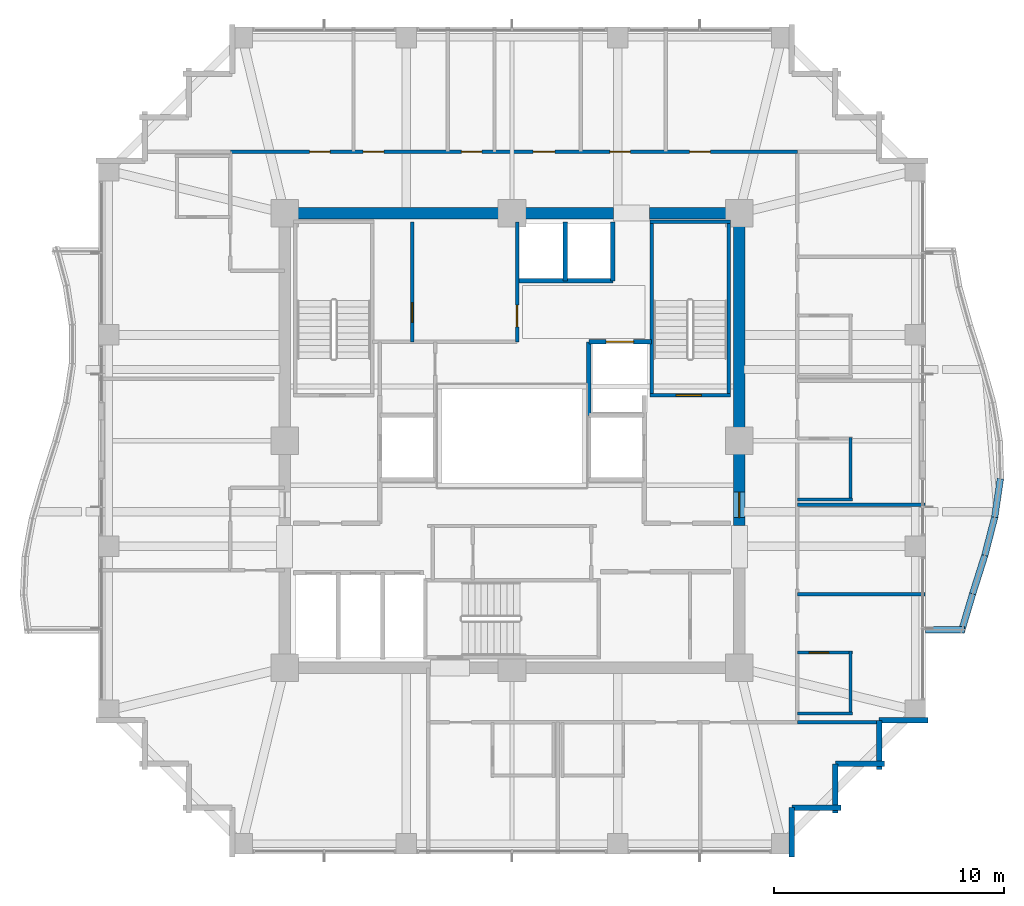
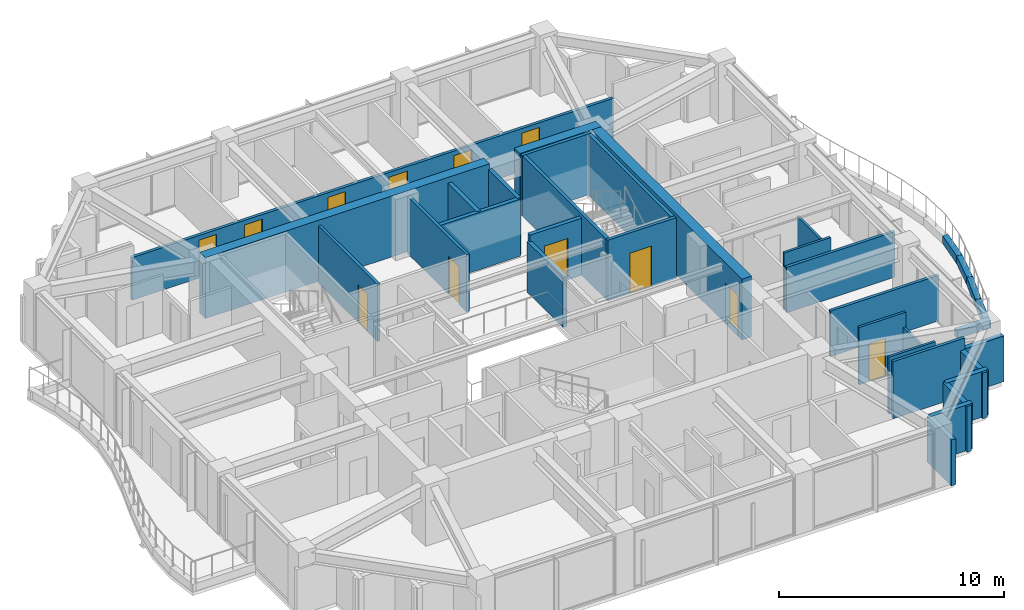
# One storey, part 30 of 33: 34 walls, 12 doors, 12 openings.
"""IFC4 building model written with IfcOpenShell, lengths in metres."""

from ifc_helpers import new_model, si_unit, direction, frame, frame_2d, origin, place, context, subcontext, project, spatial, rectangle, extrude, material, layer, layer_set, type_object, element, fill, save


model = new_model("IFC4")

# Units and contexts
model_context = context("Model", 3, precision=1e-05, world=origin(), true_north=direction((0.0, 1.0)))
body_context = subcontext(model_context, "Body", "Model", "MODEL_VIEW")
ifc_project = project(units=[si_unit("LENGTHUNIT", "METRE"), si_unit("AREAUNIT", "SQUARE_METRE"), si_unit("VOLUMEUNIT", "CUBIC_METRE"), si_unit("PLANEANGLEUNIT", "RADIAN"), si_unit("MASSUNIT", "GRAM", prefix="KILO")], contexts=[model_context])

# Site, building, storey
site_placement = place(None, origin())
site = spatial("IfcSite", under=ifc_project, at=site_placement, CompositionType="ELEMENT")
building_placement = place(site_placement, origin())
building = spatial("IfcBuilding", under=site, at=building_placement, Name="Kolvaren Belvedere", CompositionType="ELEMENT")
storey_placement = place(building_placement, frame((0.0, 0.0, 128.300048828125)))
storey = spatial("IfcBuildingStorey", under=building, at=storey_placement, Name="L37", CompositionType="ELEMENT", Elevation=128.300048828125)

# Walls
ifc_material_1 = material(Name="Concrete C50/60", Category="concrete")
ifc_layer_1 = layer(ifc_material_1, 0.5)
ifc_layer_set_1 = layer_set([ifc_layer_1], Name="Concrete C50/60")
wall_type_1 = type_object("IfcWallType", Name="CW-CORE-500", PredefinedType="SHEAR", material=ifc_layer_set_1)
wall_1_placement = place(storey_placement, frame((-10.14990234375, 9.89990234375, 0.0), z_axis=(0.0, 0.0, 1.0), x_axis=(1.0, 0.0, 0.0)))
element("IfcWall", 1, at=wall_1_placement, inside=storey, type_object=wall_type_1, Name="L37 North Core Shear Wall 1", PredefinedType="SHEAR", context=body_context, shape_type="SweptSolid", body=[
    extrude(rectangle(XDim=14.56982421875, YDim=0.5, at=frame_2d((7.284912109375, 0.0))), origin(), (0.0, 0.0, 1.0), 3.300048828125),
])
wall_2_placement = place(storey_placement, frame((5.97998046875, 9.89990234375, 0.0), z_axis=(0.0, 0.0, 1.0), x_axis=(1.0, 0.0, 0.0)))
element("IfcWall", 2, at=wall_2_placement, inside=storey, type_object=wall_type_1, Name="L37 North Core Shear Wall 2", PredefinedType="SHEAR", context=body_context, shape_type="SweptSolid", body=[
    extrude(rectangle(XDim=4.169921875, YDim=0.5, at=frame_2d((2.0849609375, 0.0))), origin(), (0.0, 0.0, 1.0), 3.300048828125),
])

# Wall, opening, door
wall_3_placement = place(storey_placement, frame((9.89990234375, -3.699951171875, 0.0), z_axis=(0.0, 0.0, 1.0), x_axis=(0.0, 1.0, 0.0)))
wall_3 = element("IfcWall", 3, at=wall_3_placement, inside=storey, type_object=wall_type_1, Name="L37 East Core Shear Wall 2", PredefinedType="SHEAR", context=body_context, shape_type="SweptSolid", body=[
    extrude(rectangle(XDim=13.349853515625, YDim=0.5, at=frame_2d((6.6748046875, 0.0))), origin(), (0.0, 0.0, 1.0), 3.300048828125),
])
opening_1_placement = place(wall_3_placement, frame((0.35009765625, 0.0, 0.0)))
opening_1 = element("IfcOpeningElement", 4, at=opening_1_placement, cuts=wall_3, Name="Opening D-FD90", PredefinedType="OPENING", context=body_context, shape_type="SweptSolid", body=[
    extrude(rectangle(XDim=1.10009765625, YDim=2.199951171875, at=frame_2d((0.550048828125, 1.10009765625))), frame((0.0, 0.260009765625, 0.0), z_axis=(0.0, -1.0, 0.0), x_axis=(1.0, 0.0, 0.0)), (0.0, 0.0, 1.0), 0.52001953125),
])
ifc_material_2 = material(Name="Painted hollow stainless steel", Category="steel")
door_type_1 = type_object("IfcDoorType", Name="DR-FD90-1100", OperationType="NOTDEFINED", PredefinedType="DOOR", material=ifc_material_2)
door_1_placement = place(opening_1_placement, origin())
door_1 = element("IfcDoor", 5, at=door_1_placement, inside=storey, type_object=door_type_1, Name="L37 East Firefighting Lobby Fire Door", OperationType="SINGLE_SWING_RIGHT", OverallHeight=2.199951171875, OverallWidth=1.10009765625, PredefinedType="DOOR", context=body_context, shape_type="SweptSolid", body=[
    extrude(rectangle(XDim=1.10009765625, YDim=2.199951171875, at=frame_2d((0.550048828125, 1.10009765625))), frame((0.0, 0.02490234375, 0.0), z_axis=(0.0, -1.0, 0.0), x_axis=(1.0, 0.0, 0.0)), (0.0, 0.0, 1.0), 0.050048828125),
])
fill(opening_1, door_1)

ifc_material_3 = material(Name="Concrete C50/60", Category="concrete")
ifc_layer_2 = layer(ifc_material_3, 0.159912109375)
ifc_layer_set_2 = layer_set([ifc_layer_2], Name="Concrete C50/60")
wall_type_2 = type_object("IfcWallType", Name="CW-STAIR-160", PredefinedType="SHEAR", material=ifc_layer_set_2)
wall_4_placement = place(storey_placement, frame((6.0, 1.969970703125, 0.0), z_axis=(0.0, 0.0, 1.0), x_axis=(1.0, 0.0, 0.0)))
wall_4 = element("IfcWall", 6, at=wall_4_placement, inside=storey, type_object=wall_type_2, Name="L37 Stair ST-2 South Shear Wall", PredefinedType="SHEAR", context=body_context, shape_type="SweptSolid", body=[
    extrude(rectangle(XDim=3.52001953125, YDim=0.159912109375, at=frame_2d((1.760009765625, 0.0))), origin(), (0.0, 0.0, 1.0), 3.300048828125),
])
opening_2_placement = place(wall_4_placement, frame((1.14990234375, 0.0, 0.0)))
opening_2 = element("IfcOpeningElement", 7, at=opening_2_placement, cuts=wall_4, Name="Opening D-FD90", PredefinedType="OPENING", context=body_context, shape_type="SweptSolid", body=[
    extrude(rectangle(XDim=1.10009765625, YDim=2.199951171875, at=frame_2d((0.550048828125, 1.10009765625))), frame((0.0, 0.08984375, 0.0), z_axis=(0.0, -1.0, 0.0), x_axis=(1.0, 0.0, 0.0)), (0.0, 0.0, 1.0), 0.179931640625),
])
door_2_placement = place(opening_2_placement, origin())
door_2 = element("IfcDoor", 8, at=door_2_placement, inside=storey, type_object=door_type_1, Name="L37 Stair ST-2 Fire Door", OperationType="SINGLE_SWING_RIGHT", OverallHeight=2.199951171875, OverallWidth=1.10009765625, PredefinedType="DOOR", context=body_context, shape_type="SweptSolid", body=[
    extrude(rectangle(XDim=1.10009765625, YDim=2.199951171875, at=frame_2d((0.550048828125, 1.10009765625))), frame((0.0, 0.02490234375, 0.0), z_axis=(0.0, -1.0, 0.0), x_axis=(1.0, 0.0, 0.0)), (0.0, 0.0, 1.0), 0.050048828125),
])
fill(opening_2, door_2)

# Walls
wall_5_placement = place(storey_placement, frame((6.0, 9.530029296875, 0.0), z_axis=(0.0, 0.0, 1.0), x_axis=(1.0, 0.0, 0.0)))
element("IfcWall", 9, at=wall_5_placement, inside=storey, type_object=wall_type_2, Name="L37 Stair ST-2 North Shear Wall", PredefinedType="SHEAR", context=body_context, shape_type="SweptSolid", body=[
    extrude(rectangle(XDim=3.52001953125, YDim=0.159912109375, at=frame_2d((1.760009765625, 0.0))), origin(), (0.0, 0.0, 1.0), 3.300048828125),
])
for number, where, z_axis, x_axis, name in (
    (10, (6.080078125, 1.969970703125, 0.0), (0.0, 0.0, 1.0), (0.0, 1.0, 0.0), "L37 Stair ST-2 West Shear Wall"),
    (11, (9.429931640625, 1.969970703125, 0.0), (0.0, 0.0, 1.0), (0.0, 1.0, 0.0), "L37 Stair ST-2 East Shear Wall"),
):
    element("IfcWall", number, at=place(storey_placement, frame(where, z_axis=z_axis, x_axis=x_axis)), inside=storey, type_object=wall_type_2, Name=name, PredefinedType="SHEAR", context=body_context, shape_type="SweptSolid", body=[
        extrude(rectangle(XDim=7.56005859375, YDim=0.159912109375, at=frame_2d((3.780029296875, 0.0))), origin(), (0.0, 0.0, 1.0), 3.300048828125),
    ])

# Wall, openings, doors
ifc_material_4 = material(Name="Gypsum fire-rated partition assembly", Category="gypsum")
ifc_layer_3 = layer(ifc_material_4, 0.14990234375)
ifc_layer_set_3 = layer_set([ifc_layer_3], Name="Gypsum fire-rated partition assembly")
wall_type_3 = type_object("IfcWallType", Name="WL-CORR-150", PredefinedType="PARTITIONING", material=ifc_layer_set_3)
wall_6_placement = place(storey_placement, frame((-12.260009765625, 12.580078125, 0.0), z_axis=(0.0, 0.0, 1.0), x_axis=(1.0, 0.0, 0.0)))
wall_6 = element("IfcWall", 12, at=wall_6_placement, inside=storey, type_object=wall_type_3, Name="L37 North Corridor Wall", PredefinedType="PARTITIONING", context=body_context, shape_type="SweptSolid", body=[
    extrude(rectangle(XDim=24.679931640625, YDim=0.14990234375, at=frame_2d((12.33984375, 0.0))), origin(), (0.0, 0.0, 1.0), 2.31201171875),
])
opening_3_placement = place(wall_6_placement, frame((3.4443359375, 0.0, 0.0)))
opening_3 = element("IfcOpeningElement", 13, at=opening_3_placement, cuts=wall_6, Name="Opening D-INT90", PredefinedType="OPENING", context=body_context, shape_type="SweptSolid", body=[
    extrude(rectangle(XDim=0.89990234375, YDim=2.06005859375, at=frame_2d((0.449951171875, 1.030029296875))), frame((0.0, 0.0849609375, 0.0), z_axis=(0.0, -1.0, 0.0), x_axis=(1.0, 0.0, 0.0)), (0.0, 0.0, 1.0), 0.169921875),
])
opening_4_placement = place(wall_6_placement, frame((5.779296875, 0.0, 0.0)))
opening_4 = element("IfcOpeningElement", 14, at=opening_4_placement, cuts=wall_6, Name="Opening D-INT90", PredefinedType="OPENING", context=body_context, shape_type="SweptSolid", body=[
    extrude(rectangle(XDim=0.89990234375, YDim=2.06005859375, at=frame_2d((0.449951171875, 1.030029296875))), frame((0.0, 0.0849609375, 0.0), z_axis=(0.0, -1.0, 0.0), x_axis=(1.0, 0.0, 0.0)), (0.0, 0.0, 1.0), 0.169921875),
])
opening_5_placement = place(wall_6_placement, frame((10.052001953125, 0.0, 0.0)))
opening_5 = element("IfcOpeningElement", 15, at=opening_5_placement, cuts=wall_6, Name="Opening D-INT90", PredefinedType="OPENING", context=body_context, shape_type="SweptSolid", body=[
    extrude(rectangle(XDim=0.89990234375, YDim=2.06005859375, at=frame_2d((0.449951171875, 1.030029296875))), frame((0.0, 0.0849609375, 0.0), z_axis=(0.0, -1.0, 0.0), x_axis=(1.0, 0.0, 0.0)), (0.0, 0.0, 1.0), 0.169921875),
])
opening_6_placement = place(wall_6_placement, frame((13.178955078125, 0.0, 0.0)))
opening_6 = element("IfcOpeningElement", 16, at=opening_6_placement, cuts=wall_6, Name="Opening D-INT95", PredefinedType="OPENING", context=body_context, shape_type="SweptSolid", body=[
    extrude(rectangle(XDim=0.949951171875, YDim=2.06005859375, at=frame_2d((0.47509765625, 1.030029296875))), frame((0.0, 0.0849609375, 0.0), z_axis=(0.0, -1.0, 0.0), x_axis=(1.0, 0.0, 0.0)), (0.0, 0.0, 1.0), 0.169921875),
])
opening_7_placement = place(wall_6_placement, frame((16.517578125, 0.0, 0.0)))
opening_7 = element("IfcOpeningElement", 17, at=opening_7_placement, cuts=wall_6, Name="Opening D-INT90", PredefinedType="OPENING", context=body_context, shape_type="SweptSolid", body=[
    extrude(rectangle(XDim=0.89990234375, YDim=2.06005859375, at=frame_2d((0.449951171875, 1.030029296875))), frame((0.0, 0.0849609375, 0.0), z_axis=(0.0, -1.0, 0.0), x_axis=(1.0, 0.0, 0.0)), (0.0, 0.0, 1.0), 0.169921875),
])
opening_8_placement = place(wall_6_placement, frame((19.99853515625, 0.0, 0.0)))
opening_8 = element("IfcOpeningElement", 18, at=opening_8_placement, cuts=wall_6, Name="Opening D-INT90", PredefinedType="OPENING", context=body_context, shape_type="SweptSolid", body=[
    extrude(rectangle(XDim=0.89990234375, YDim=2.06005859375, at=frame_2d((0.449951171875, 1.030029296875))), frame((0.0, 0.0849609375, 0.0), z_axis=(0.0, -1.0, 0.0), x_axis=(1.0, 0.0, 0.0)), (0.0, 0.0, 1.0), 0.169921875),
])
ifc_material_5 = material(Name="Stained Pacific white oak", Category="timber")
door_type_2 = type_object("IfcDoorType", Name="DR-INT-900", OperationType="NOTDEFINED", PredefinedType="DOOR", material=ifc_material_5)
door_3_placement = place(opening_3_placement, origin())
door_3 = element("IfcDoor", 19, at=door_3_placement, inside=storey, type_object=door_type_2, Name="L37 Guest Tea & Espresso Kitchen 3701 Door", OperationType="SINGLE_SWING_RIGHT", OverallHeight=2.06005859375, OverallWidth=0.89990234375, PredefinedType="DOOR", context=body_context, shape_type="SweptSolid", body=[
    extrude(rectangle(XDim=0.89990234375, YDim=2.06005859375, at=frame_2d((0.449951171875, 1.030029296875))), frame((0.0, 0.02490234375, 0.0), z_axis=(0.0, -1.0, 0.0), x_axis=(1.0, 0.0, 0.0)), (0.0, 0.0, 1.0), 0.050048828125),
])
fill(opening_3, door_3)
door_4_placement = place(opening_4_placement, origin())
door_4 = element("IfcDoor", 20, at=door_4_placement, inside=storey, type_object=door_type_2, Name="L37 Wellness Yoga & Reading Gym 3702 Door", OperationType="SINGLE_SWING_LEFT", OverallHeight=2.06005859375, OverallWidth=0.89990234375, PredefinedType="DOOR", context=body_context, shape_type="SweptSolid", body=[
    extrude(rectangle(XDim=0.89990234375, YDim=2.06005859375, at=frame_2d((0.449951171875, 1.030029296875))), frame((0.0, 0.02490234375, 0.0), z_axis=(0.0, -1.0, 0.0), x_axis=(1.0, 0.0, 0.0)), (0.0, 0.0, 1.0), 0.050048828125),
])
fill(opening_4, door_4)
door_5_placement = place(opening_5_placement, origin())
door_5 = element("IfcDoor", 21, at=door_5_placement, inside=storey, type_object=door_type_2, Name="L37 Housekeeping Door", OperationType="SINGLE_SWING_RIGHT", OverallHeight=2.06005859375, OverallWidth=0.89990234375, PredefinedType="DOOR", context=body_context, shape_type="SweptSolid", body=[
    extrude(rectangle(XDim=0.89990234375, YDim=2.06005859375, at=frame_2d((0.449951171875, 1.030029296875))), frame((0.0, 0.02490234375, 0.0), z_axis=(0.0, -1.0, 0.0), x_axis=(1.0, 0.0, 0.0)), (0.0, 0.0, 1.0), 0.050048828125),
])
fill(opening_5, door_5)
door_6_placement = place(opening_7_placement, origin())
door_6 = element("IfcDoor", 22, at=door_6_placement, inside=storey, type_object=door_type_2, Name="L37 Private Hospitality Meeting Room 3703 Door", OperationType="SINGLE_SWING_RIGHT", OverallHeight=2.06005859375, OverallWidth=0.89990234375, PredefinedType="DOOR", context=body_context, shape_type="SweptSolid", body=[
    extrude(rectangle(XDim=0.89990234375, YDim=2.06005859375, at=frame_2d((0.449951171875, 1.030029296875))), frame((0.0, 0.02490234375, 0.0), z_axis=(0.0, -1.0, 0.0), x_axis=(1.0, 0.0, 0.0)), (0.0, 0.0, 1.0), 0.050048828125),
])
fill(opening_7, door_6)
door_7_placement = place(opening_8_placement, origin())
door_7 = element("IfcDoor", 23, at=door_7_placement, inside=storey, type_object=door_type_2, Name="L37 Botanical Reading Salon 3704 Door", OperationType="SINGLE_SWING_LEFT", OverallHeight=2.06005859375, OverallWidth=0.89990234375, PredefinedType="DOOR", context=body_context, shape_type="SweptSolid", body=[
    extrude(rectangle(XDim=0.89990234375, YDim=2.06005859375, at=frame_2d((0.449951171875, 1.030029296875))), frame((0.0, 0.02490234375, 0.0), z_axis=(0.0, -1.0, 0.0), x_axis=(1.0, 0.0, 0.0)), (0.0, 0.0, 1.0), 0.050048828125),
])
fill(opening_8, door_7)
ifc_material_6 = material(Name="Stained Pacific white oak", Category="timber")
door_type_3 = type_object("IfcDoorType", Name="DR-INT-950", OperationType="NOTDEFINED", PredefinedType="DOOR", material=ifc_material_6)
door_8_placement = place(opening_6_placement, origin())
door_8 = element("IfcDoor", 24, at=door_8_placement, inside=storey, type_object=door_type_3, Name="L37 Accessible Washroom Door", OperationType="SINGLE_SWING_LEFT", OverallHeight=2.06005859375, OverallWidth=0.949951171875, PredefinedType="DOOR", context=body_context, shape_type="SweptSolid", body=[
    extrude(rectangle(XDim=0.949951171875, YDim=2.06005859375, at=frame_2d((0.47509765625, 1.030029296875))), frame((0.0, 0.02490234375, 0.0), z_axis=(0.0, -1.0, 0.0), x_axis=(1.0, 0.0, 0.0)), (0.0, 0.0, 1.0), 0.050048828125),
])
fill(opening_6, door_8)

# Walls
ifc_material_7 = material(Name="Insulated pale-metal facade wall assembly", Category="aluminium")
ifc_layer_4 = layer(ifc_material_7, 0.239990234375)
ifc_layer_set_4 = layer_set([ifc_layer_4], Name="Insulated pale-metal facade wall assembly")
wall_type_4 = type_object("IfcWallType", Name="WL-EXT-240", PredefinedType="STANDARD", material=ifc_layer_set_4)
for number, where, z_axis, x_axis, name in (
    (25, (12.179931640625, -15.97998046875, 0.0), (0.0, 0.0, 1.0), (0.0, -1.0, 0.0), "L37 Serrated Corner Facade Wall 2"),
    (26, (14.320068359375, -15.97998046875, 0.0), (0.0, 0.0, 1.0), (-1.0, 0.0, 0.0), "L37 Serrated Corner Facade Wall 3"),
):
    element("IfcWall", number, at=place(storey_placement, frame(where, z_axis=z_axis, x_axis=x_axis)), inside=storey, type_object=wall_type_4, Name=name, PredefinedType="STANDARD", context=body_context, shape_type="SweptSolid", body=[
        extrude(rectangle(XDim=2.14013671875, YDim=0.239990234375, at=frame_2d((1.070068359375, 0.0))), origin(), (0.0, 0.0, 1.0), 2.47900390625),
    ])
for number, where, z_axis, x_axis, name in (
    (27, (14.080078125, -14.080078125, 0.0), (0.0, 0.0, 1.0), (0.0, -1.0, 0.0), "L37 Serrated Corner Facade Wall 4"),
    (28, (16.219970703125, -14.080078125, 0.0), (0.0, 0.0, 1.0), (-1.0, 0.0, 0.0), "L37 Serrated Corner Facade Wall 5"),
):
    element("IfcWall", number, at=place(storey_placement, frame(where, z_axis=z_axis, x_axis=x_axis)), inside=storey, type_object=wall_type_4, Name=name, PredefinedType="STANDARD", context=body_context, shape_type="SweptSolid", body=[
        extrude(rectangle(XDim=2.139892578125, YDim=0.239990234375, at=frame_2d((1.06982421875, 0.0))), origin(), (0.0, 0.0, 1.0), 2.47900390625),
    ])
for number, where, z_axis, x_axis, name in (
    (29, (15.97998046875, -12.179931640625, 0.0), (0.0, 0.0, 1.0), (0.0, -1.0, 0.0), "L37 Serrated Corner Facade Wall 6"),
    (30, (18.1201171875, -12.179931640625, 0.0), (0.0, 0.0, 1.0), (-1.0, 0.0, 0.0), "L37 Serrated Corner Facade Wall 7"),
):
    element("IfcWall", number, at=place(storey_placement, frame(where, z_axis=z_axis, x_axis=x_axis)), inside=storey, type_object=wall_type_4, Name=name, PredefinedType="STANDARD", context=body_context, shape_type="SweptSolid", body=[
        extrude(rectangle(XDim=2.14013671875, YDim=0.239990234375, at=frame_2d((1.070068359375, 0.0))), origin(), (0.0, 0.0, 1.0), 2.47900390625),
    ])

# Wall, opening, door
ifc_material_8 = material(Name="Gypsum acoustic partition assembly", Category="gypsum")
ifc_layer_5 = layer(ifc_material_8, 0.14990234375)
ifc_layer_set_5 = layer_set([ifc_layer_5], Name="Gypsum acoustic partition assembly")
wall_type_5 = type_object("IfcWallType", Name="WL-PART-150", PredefinedType="PARTITIONING", material=ifc_layer_set_5)
wall_7_placement = place(storey_placement, frame((0.219970703125, 4.300048828125, 0.0), z_axis=(0.0, 0.0, 1.0), x_axis=(0.0, 1.0, 0.0)))
wall_7 = element("IfcWall", 31, at=wall_7_placement, inside=storey, type_object=wall_type_5, Name="L37 Reclaimed Salon East Wall", PredefinedType="PARTITIONING", context=body_context, shape_type="SweptSolid", body=[
    extrude(rectangle(XDim=5.219970703125, YDim=0.14990234375, at=frame_2d((2.60986328125, 0.0))), origin(), (0.0, 0.0, 1.0), 3.099853515625),
])
opening_9_placement = place(wall_7_placement, frame((0.64990234375, 0.0, 0.0)))
opening_9 = element("IfcOpeningElement", 32, at=opening_9_placement, cuts=wall_7, Name="Opening D-INT95", PredefinedType="OPENING", context=body_context, shape_type="SweptSolid", body=[
    extrude(rectangle(XDim=0.949951171875, YDim=2.06005859375, at=frame_2d((0.47509765625, 1.030029296875))), frame((0.0, 0.0849609375, 0.0), z_axis=(0.0, -1.0, 0.0), x_axis=(1.0, 0.0, 0.0)), (0.0, 0.0, 1.0), 0.169921875),
])
door_9_placement = place(opening_9_placement, origin())
door_9 = element("IfcDoor", 33, at=door_9_placement, inside=storey, type_object=door_type_3, Name="L37 Art Salon Door", OperationType="SINGLE_SWING_LEFT", OverallHeight=2.06005859375, OverallWidth=0.949951171875, PredefinedType="DOOR", context=body_context, shape_type="SweptSolid", body=[
    extrude(rectangle(XDim=0.949951171875, YDim=2.06005859375, at=frame_2d((0.47509765625, 1.030029296875))), frame((0.0, 0.02490234375, 0.0), z_axis=(0.0, -1.0, 0.0), x_axis=(1.0, 0.0, 0.0)), (0.0, 0.0, 1.0), 0.050048828125),
])
fill(opening_9, door_9)

wall_8_placement = place(storey_placement, frame((-4.35009765625, 4.300048828125, 0.0), z_axis=(0.0, 0.0, 1.0), x_axis=(0.0, 1.0, 0.0)))
wall_8 = element("IfcWall", 34, at=wall_8_placement, inside=storey, type_object=wall_type_5, Name="L37 Reclaimed Archive Divider", PredefinedType="PARTITIONING", context=body_context, shape_type="SweptSolid", body=[
    extrude(rectangle(XDim=5.219970703125, YDim=0.14990234375, at=frame_2d((2.60986328125, 0.0))), origin(), (0.0, 0.0, 1.0), 3.099853515625),
])
opening_10_placement = place(wall_8_placement, frame((0.85009765625, 0.0, 0.0)))
opening_10 = element("IfcOpeningElement", 35, at=opening_10_placement, cuts=wall_8, Name="Opening D-INT85", PredefinedType="OPENING", context=body_context, shape_type="SweptSolid", body=[
    extrude(rectangle(XDim=0.85009765625, YDim=2.030029296875, at=frame_2d((0.425048828125, 1.01513671875))), frame((0.0, 0.0849609375, 0.0), z_axis=(0.0, -1.0, 0.0), x_axis=(1.0, 0.0, 0.0)), (0.0, 0.0, 1.0), 0.169921875),
])
ifc_material_9 = material(Name="Stained Pacific white oak", Category="timber")
door_type_4 = type_object("IfcDoorType", Name="DR-INT-850", OperationType="NOTDEFINED", PredefinedType="DOOR", material=ifc_material_9)
door_10_placement = place(opening_10_placement, origin())
door_10 = element("IfcDoor", 36, at=door_10_placement, inside=storey, type_object=door_type_4, Name="L37 Archive Store Door", OperationType="SINGLE_SWING_RIGHT", OverallHeight=2.030029296875, OverallWidth=0.85009765625, PredefinedType="DOOR", context=body_context, shape_type="SweptSolid", body=[
    extrude(rectangle(XDim=0.85009765625, YDim=2.030029296875, at=frame_2d((0.425048828125, 1.01513671875))), frame((0.0, 0.02490234375, 0.0), z_axis=(0.0, -1.0, 0.0), x_axis=(1.0, 0.0, 0.0)), (0.0, 0.0, 1.0), 0.050048828125),
])
fill(opening_10, door_10)

# Walls
wall_9_placement = place(storey_placement, frame((12.419921875, -12.260009765625, 0.0), z_axis=(0.0, 0.0, 1.0), x_axis=(1.0, 0.0, 0.0)))
element("IfcWall", 37, at=wall_9_placement, inside=storey, type_object=wall_type_5, Name="L37 Wing Divider PW-L37-QSE", PredefinedType="PARTITIONING", context=body_context, shape_type="SweptSolid", body=[
    extrude(rectangle(XDim=3.67626953125, YDim=0.14990234375, at=frame_2d((1.838134765625, 0.0))), origin(), (0.0, 0.0, 1.0), 3.099853515625),
])
for number, where, z_axis, x_axis, name in (
    (38, (12.419921875, -6.699951171875, 0.0), (0.0, 0.0, 1.0), (1.0, 0.0, 0.0), "L37 East Suite Demising Wall 1"),
    (39, (12.419921875, -2.800048828125, 0.0), (0.0, 0.0, 1.0), (1.0, 0.0, 0.0), "L37 East Suite Demising Wall 2"),
):
    element("IfcWall", number, at=place(storey_placement, frame(where, z_axis=z_axis, x_axis=x_axis)), inside=storey, type_object=wall_type_5, Name=name, PredefinedType="PARTITIONING", context=body_context, shape_type="SweptSolid", body=[
        extrude(rectangle(XDim=5.56005859375, YDim=0.14990234375, at=frame_2d((2.780029296875, 0.0))), origin(), (0.0, 0.0, 1.0), 2.468994140625),
    ])
ifc_material_10 = material(Name="Precast concrete C40/50", Category="concrete")
ifc_layer_6 = layer(ifc_material_10, 0.300048828125)
ifc_layer_set_6 = layer_set([ifc_layer_6], Name="Precast concrete C40/50")
wall_type_6 = type_object("IfcWallType", Name="WL-PLANTER-300", PredefinedType="PARAPET", material=ifc_layer_set_6)
wall_10_placement = place(storey_placement, frame((19.5517578125, -8.3544921875, -0.02001953125), z_axis=(0.0, 0.0, 1.0), x_axis=(0.284970268083, 0.958536356279, 0.0)))
element("IfcWall", 40, at=wall_10_placement, inside=storey, type_object=wall_type_6, Name="L37 Precast Structural Planter Wall BAL-E-1", PredefinedType="PARAPET", context=body_context, shape_type="SweptSolid", body=[
    extrude(rectangle(XDim=1.7529296875, YDim=0.280029296875, at=frame_2d((0.87646484375, 0.0))), origin(), (0.0, 0.0, 1.0), 0.419921875),
])
wall_11_placement = place(storey_placement, frame((20.052001953125, -6.671630859375, -0.02001953125), z_axis=(0.0, 0.0, 1.0), x_axis=(0.302523204768, 0.953142020151, 0.0)))
element("IfcWall", 41, at=wall_11_placement, inside=storey, type_object=wall_type_6, Name="L37 Precast Structural Planter Wall BAL-E-2", PredefinedType="PARAPET", context=body_context, shape_type="SweptSolid", body=[
    extrude(rectangle(XDim=1.762451171875, YDim=0.280029296875, at=frame_2d((0.88134765625, 0.0))), origin(), (0.0, 0.0, 1.0), 0.419921875),
])
wall_12_placement = place(storey_placement, frame((20.582763671875, -5.0, -0.02001953125), z_axis=(0.0, 0.0, 1.0), x_axis=(0.250405556038, 0.968141031826, 0.0)))
element("IfcWall", 42, at=wall_12_placement, inside=storey, type_object=wall_type_6, Name="L37 Precast Structural Planter Wall BAL-E-3", PredefinedType="PARAPET", context=body_context, shape_type="SweptSolid", body=[
    extrude(rectangle(XDim=1.7353515625, YDim=0.280029296875, at=frame_2d((0.86767578125, 0.0))), origin(), (0.0, 0.0, 1.0), 0.419921875),
])
wall_13_placement = place(storey_placement, frame((21.013916015625, -3.336669921875, -0.02001953125), z_axis=(0.0, 0.0, 1.0), x_axis=(0.145928579368, 0.989295127716, 0.0)))
element("IfcWall", 43, at=wall_13_placement, inside=storey, type_object=wall_type_6, Name="L37 Precast Structural Planter Wall BAL-E-4", PredefinedType="PARAPET", context=body_context, shape_type="SweptSolid", body=[
    extrude(rectangle(XDim=1.697998046875, YDim=0.280029296875, at=frame_2d((0.84912109375, 0.0))), origin(), (0.0, 0.0, 1.0), 0.419921875),
])
wall_14_placement = place(storey_placement, frame((18.0, -8.239990234375, -0.02001953125), z_axis=(0.0, 0.0, 1.0), x_axis=(1.0, 0.0, 0.0)))
element("IfcWall", 44, at=wall_14_placement, inside=storey, type_object=wall_type_6, Name="L37 Precast Structural Planter Wall BAL-E-22", PredefinedType="PARAPET", context=body_context, shape_type="SweptSolid", body=[
    extrude(rectangle(XDim=1.705078125, YDim=0.280029296875, at=frame_2d((0.8525390625, 0.0))), origin(), (0.0, 0.0, 1.0), 0.419921875),
])

# Wall, opening, door
ifc_material_11 = material(Name="Concrete C50/60", Category="concrete")
ifc_layer_7 = layer(ifc_material_11, 0.199951171875)
ifc_layer_set_7 = layer_set([ifc_layer_7], Name="Concrete C50/60")
wall_type_7 = type_object("IfcWallType", Name="WL-SHAFT-200", PredefinedType="SOLIDWALL", material=ifc_layer_set_7)
wall_15_placement = place(storey_placement, frame((3.35009765625, 4.300048828125, 0.0), z_axis=(0.0, 0.0, 1.0), x_axis=(1.0, 0.0, 0.0)))
wall_15 = element("IfcWall", 45, at=wall_15_placement, inside=storey, type_object=wall_type_7, Name="L37 Service Lift SV1 Front Wall", PredefinedType="SOLIDWALL", context=body_context, shape_type="SweptSolid", body=[
    extrude(rectangle(XDim=2.72998046875, YDim=0.199951171875, at=frame_2d((1.364990234375, 0.0))), origin(), (0.0, 0.0, 1.0), 3.099853515625),
])
opening_11_placement = place(wall_15_placement, frame((0.75, 0.0, 0.0)))
opening_11 = element("IfcOpeningElement", 46, at=opening_11_placement, cuts=wall_15, Name="Opening LD-12", PredefinedType="OPENING", context=body_context, shape_type="SweptSolid", body=[
    extrude(rectangle(XDim=1.199951171875, YDim=2.25, at=frame_2d((0.60009765625, 1.125))), frame((0.0, 0.10986328125, 0.0), z_axis=(0.0, -1.0, 0.0), x_axis=(1.0, 0.0, 0.0)), (0.0, 0.0, 1.0), 0.219970703125),
])
ifc_material_12 = material(Name="Brushed stainless steel", Category="steel")
door_type_5 = type_object("IfcDoorType", Name="DR-LIFT-1200", OperationType="DOUBLE_DOOR_SLIDING", PredefinedType="DOOR", material=ifc_material_12)
door_11_placement = place(opening_11_placement, origin())
door_11 = element("IfcDoor", 47, at=door_11_placement, inside=storey, type_object=door_type_5, Name="L37 Service Lift SV1 Landing Door", OperationType="DOUBLE_DOOR_SLIDING", OverallHeight=2.25, OverallWidth=1.199951171875, PredefinedType="DOOR", context=body_context, shape_type="SweptSolid", body=[
    extrude(rectangle(XDim=1.199951171875, YDim=2.25, at=frame_2d((0.60009765625, 1.125))), frame((0.0, 0.02490234375, 0.0), z_axis=(0.0, -1.0, 0.0), x_axis=(1.0, 0.0, 0.0)), (0.0, 0.0, 1.0), 0.050048828125),
])
fill(opening_11, door_11)

# Walls
wall_16_placement = place(storey_placement, frame((3.35009765625, 1.10009765625, 0.0), z_axis=(0.0, 0.0, 1.0), x_axis=(0.0, 1.0, 0.0)))
element("IfcWall", 48, at=wall_16_placement, inside=storey, type_object=wall_type_7, Name="L37 Service Lift SV1 West Wall", PredefinedType="SOLIDWALL", context=body_context, shape_type="SweptSolid", body=[
    extrude(rectangle(XDim=3.199951171875, YDim=0.199951171875, at=frame_2d((1.60009765625, 0.0))), origin(), (0.0, 0.0, 1.0), 2.73486328125),
])
wall_17_placement = place(storey_placement, frame((0.219970703125, 6.949951171875, 0.0), z_axis=(0.0, 0.0, 1.0), x_axis=(1.0, 0.0, 0.0)))
element("IfcWall", 49, at=wall_17_placement, inside=storey, type_object=wall_type_7, Name="L37 Express Shuttle Hoistway Wall", PredefinedType="SOLIDWALL", context=body_context, shape_type="SweptSolid", body=[
    extrude(rectangle(XDim=4.179931640625, YDim=0.199951171875, at=frame_2d((2.08984375, 0.0))), origin(), (0.0, 0.0, 1.0), 3.099853515625),
])
for number, where, z_axis, x_axis, name in (
    (50, (4.3798828125, 6.949951171875, 0.0), (0.0, 0.0, 1.0), (0.0, 1.0, 0.0), "L37 Express Shuttle East Wall"),
    (51, (2.31005859375, 6.949951171875, 0.0), (0.0, 0.0, 1.0), (0.0, 1.0, 0.0), "L37 Express Shuttle Divider"),
):
    element("IfcWall", number, at=place(storey_placement, frame(where, z_axis=z_axis, x_axis=x_axis)), inside=storey, type_object=wall_type_7, Name=name, PredefinedType="SOLIDWALL", context=body_context, shape_type="SweptSolid", body=[
        extrude(rectangle(XDim=2.570068359375, YDim=0.199951171875, at=frame_2d((1.28515625, 0.0))), origin(), (0.0, 0.0, 1.0), 3.099853515625),
    ])

# Wall, opening, door
ifc_material_13 = material(Name="Moisture-resistant gypsum partition", Category="gypsum")
ifc_layer_8 = layer(ifc_material_13, 0.125)
ifc_layer_set_8 = layer_set([ifc_layer_8], Name="Moisture-resistant gypsum partition")
wall_type_8 = type_object("IfcWallType", Name="WL-WET-125", PredefinedType="PARTITIONING", material=ifc_layer_set_8)
wall_18_placement = place(storey_placement, frame((12.43505859375, -9.23095703125, 0.0), z_axis=(0.0, 0.0, 1.0), x_axis=(1.0, 0.0, 0.0)))
wall_18 = element("IfcWall", 52, at=wall_18_placement, inside=storey, type_object=wall_type_8, Name="L37 Bathroom Partition PW-L37-BTH-5-N", PredefinedType="PARTITIONING", context=body_context, shape_type="SweptSolid", body=[
    extrude(rectangle(XDim=2.389892578125, YDim=0.125, at=frame_2d((1.19482421875, 0.0))), origin(), (0.0, 0.0, 1.0), 3.099853515625),
])
opening_12_placement = place(wall_18_placement, frame((0.5, 0.0, 0.0)))
opening_12 = element("IfcOpeningElement", 53, at=opening_12_placement, cuts=wall_18, Name="Opening D-BTH85", PredefinedType="OPENING", context=body_context, shape_type="SweptSolid", body=[
    extrude(rectangle(XDim=0.85009765625, YDim=2.030029296875, at=frame_2d((0.425048828125, 1.01513671875))), frame((0.0, 0.072509765625, 0.0), z_axis=(0.0, -1.0, 0.0), x_axis=(1.0, 0.0, 0.0)), (0.0, 0.0, 1.0), 0.14501953125),
])
ifc_material_14 = material(Name="Moisture-sealed Pacific white oak", Category="timber")
door_type_6 = type_object("IfcDoorType", Name="DR-BATH-850", OperationType="NOTDEFINED", PredefinedType="DOOR", material=ifc_material_14)
door_12_placement = place(opening_12_placement, origin())
door_12 = element("IfcDoor", 54, at=door_12_placement, inside=storey, type_object=door_type_6, Name="L37 En-Suite Bathroom 3705 Door", OperationType="SINGLE_SWING_RIGHT", OverallHeight=2.030029296875, OverallWidth=0.85009765625, PredefinedType="DOOR", context=body_context, shape_type="SweptSolid", body=[
    extrude(rectangle(XDim=0.85009765625, YDim=2.030029296875, at=frame_2d((0.425048828125, 1.01513671875))), frame((0.0, 0.02490234375, 0.0), z_axis=(0.0, -1.0, 0.0), x_axis=(1.0, 0.0, 0.0)), (0.0, 0.0, 1.0), 0.050048828125),
])
fill(opening_12, door_12)

# Walls
wall_19_placement = place(storey_placement, frame((14.7451171875, -11.94091796875, 0.0), z_axis=(0.0, 0.0, 1.0), x_axis=(0.0, 1.0, 0.0)))
element("IfcWall", 55, at=wall_19_placement, inside=storey, type_object=wall_type_8, Name="L37 Bathroom Partition PW-L37-BTH-5-V", PredefinedType="PARTITIONING", context=body_context, shape_type="SweptSolid", body=[
    extrude(rectangle(XDim=2.77001953125, YDim=0.125, at=frame_2d((1.385009765625, 0.0))), origin(), (0.0, 0.0, 1.0), 2.31201171875),
])
wall_20_placement = place(storey_placement, frame((12.43505859375, -11.881103515625, 0.0), z_axis=(0.0, 0.0, 1.0), x_axis=(1.0, 0.0, 0.0)))
element("IfcWall", 56, at=wall_20_placement, inside=storey, type_object=wall_type_8, Name="L37 Bathroom Partition PW-L37-BTH-5-S", PredefinedType="PARTITIONING", context=body_context, shape_type="SweptSolid", body=[
    extrude(rectangle(XDim=2.389892578125, YDim=0.125, at=frame_2d((1.19482421875, 0.0))), origin(), (0.0, 0.0, 1.0), 3.099853515625),
])
wall_21_placement = place(storey_placement, frame((14.7451171875, -2.6259765625, 0.0), z_axis=(0.0, 0.0, 1.0), x_axis=(0.0, 1.0, 0.0)))
element("IfcWall", 57, at=wall_21_placement, inside=storey, type_object=wall_type_8, Name="L37 Bathroom Partition PW-L37-BTH-7-V", PredefinedType="PARTITIONING", context=body_context, shape_type="SweptSolid", body=[
    extrude(rectangle(XDim=2.77001953125, YDim=0.125, at=frame_2d((1.385009765625, 0.0))), origin(), (0.0, 0.0, 1.0), 2.625),
])
wall_22_placement = place(storey_placement, frame((12.43505859375, -2.56591796875, 0.0), z_axis=(0.0, 0.0, 1.0), x_axis=(1.0, 0.0, 0.0)))
element("IfcWall", 58, at=wall_22_placement, inside=storey, type_object=wall_type_8, Name="L37 Bathroom Partition PW-L37-BTH-7-S", PredefinedType="PARTITIONING", context=body_context, shape_type="SweptSolid", body=[
    extrude(rectangle(XDim=2.389892578125, YDim=0.125, at=frame_2d((1.19482421875, 0.0))), origin(), (0.0, 0.0, 1.0), 3.099853515625),
])

save(model, "model.ifc")
